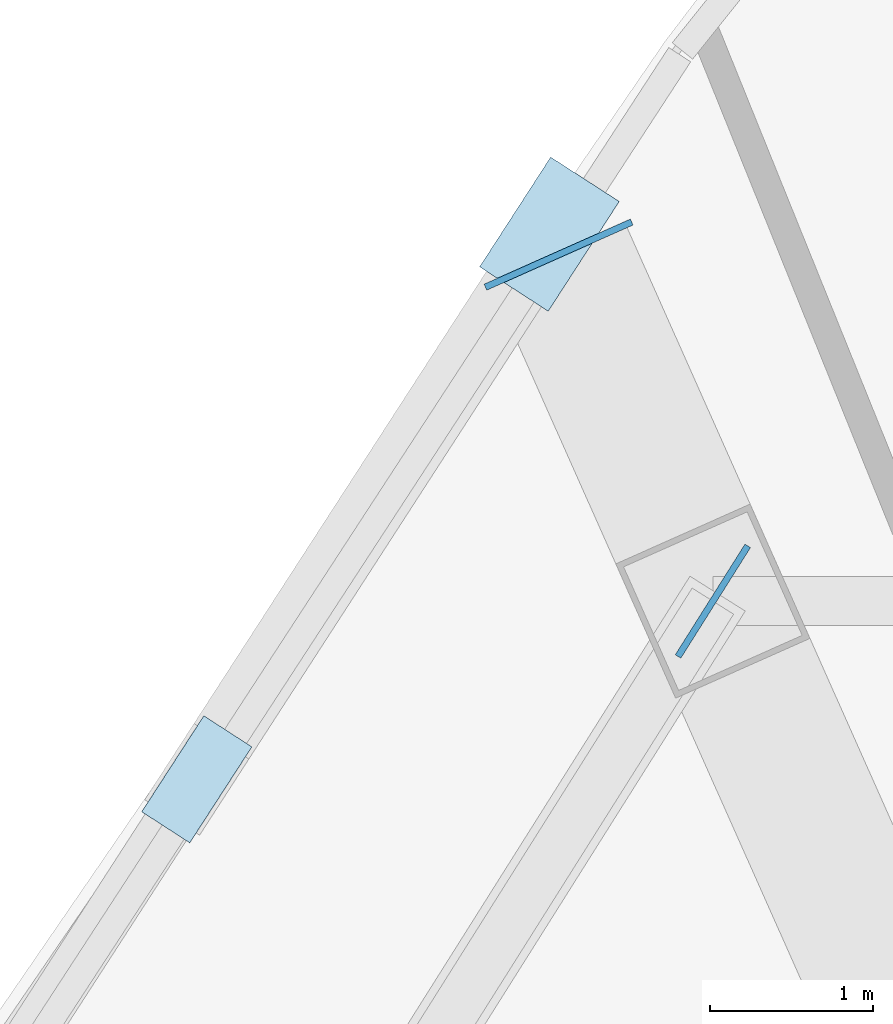
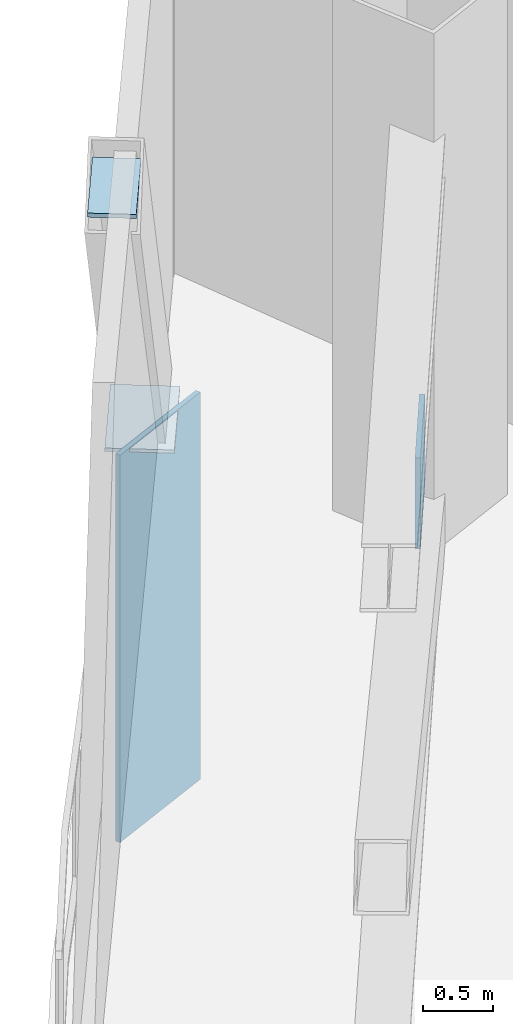
# One storey, part 6 of 17: 4 plates.
"""IFC4 building model written with IfcOpenShell, lengths in metres."""

from ifc_helpers import new_model, si_unit, direction, frame, origin, origin_2d, place, context, subcontext, project, spatial, rectangle, extrude, source, transform, mapped, material, layer, layer_set, type_object, element, save


model = new_model("IFC4")

# Units and contexts
model_context = context("Model", 3, precision=1e-05, world=origin(), true_north=direction((0.0, 1.0)))
body_context = subcontext(model_context, "Body", "Model", "MODEL_VIEW")
ifc_project = project(units=[si_unit("LENGTHUNIT", "METRE"), si_unit("AREAUNIT", "SQUARE_METRE"), si_unit("VOLUMEUNIT", "CUBIC_METRE"), si_unit("PLANEANGLEUNIT", "RADIAN"), si_unit("MASSUNIT", "GRAM", prefix="KILO"), si_unit("THERMODYNAMICTEMPERATUREUNIT", "KELVIN"), si_unit("POWERUNIT", "WATT")], contexts=[model_context])

# Site, building, storey
site_placement = place(None, origin())
site = spatial("IfcSite", under=ifc_project, at=site_placement, CompositionType="ELEMENT")
building_placement = place(site_placement, origin())
building = spatial("IfcBuilding", under=site, at=building_placement, Name="Yunzhuo Pagoda Commons", CompositionType="ELEMENT")
storey_placement = place(building_placement, frame((0.0, 0.0, 176.159912109375)))
storey = spatial("IfcBuildingStorey", under=building, at=storey_placement, Name="L44", CompositionType="ELEMENT", Elevation=176.159912109375)

# Plates
ifc_material_1 = material(Name="Structural steel Q420B", Category="steel")
ifc_layer_1 = layer(ifc_material_1, 0.0400390625)
ifc_layer_set_1 = layer_set([ifc_layer_1], Name="Structural steel Q420B")
plate_type_1 = type_object("IfcPlateType", Name="EP-TR2 Transfer Girder End Cap Plate 980x3540x40", PredefinedType="USERDEFINED", material=ifc_layer_set_1)
shared_shape_1 = source(origin(), body_context, "Body", "SweptSolid", [
    extrude(rectangle(XDim=0.97998046875, YDim=0.0400390625, at=origin_2d()), origin(), (0.0, 0.0, 1.0), 3.389892578125),
])
plate_1_placement = place(storey_placement, frame((32.3564453125, 68.836181640625, -3.64990234375), z_axis=(0.0, 0.0, 1.0), x_axis=(-0.913545457643, -0.406736643076, 0.0)))
element("IfcPlate", 1, at=plate_1_placement, inside=storey, type_object=plate_type_1, Name="L44 transfer girder end cap plate F3C1", ObjectType="END_PLATE", PredefinedType="USERDEFINED", context=body_context, shape_type="MappedRepresentation", body=[
    mapped(shared_shape_1, transform((0.0, 0.0, 0.0), scale=1.0)),
])
ifc_material_2 = material(Name="Structural steel Q355B", Category="steel")
ifc_layer_2 = layer(ifc_material_2, 0.028076171875)
ifc_layer_set_2 = layer_set([ifc_layer_2], Name="Structural steel Q355B")
plate_type_2 = type_object("IfcPlateType", Name="SP-ND1 Lattice Node Cap Plate 800x500x28", PredefinedType="USERDEFINED", material=ifc_layer_set_2)
shared_shape_2 = source(origin(), body_context, "Body", "SweptSolid", [
    extrude(rectangle(XDim=0.800048828125, YDim=0.0400390625, at=origin_2d()), origin(), (0.0, 0.0, 1.0), 0.800048828125),
])
plate_2_placement = place(storey_placement, frame((33.301025390625, 66.71435546875, -0.1298828125), z_axis=(0.0, 0.0, 1.0), x_axis=(-0.53309779066, -0.846053630448, 0.0)))
element("IfcPlate", 2, at=plate_2_placement, inside=storey, type_object=plate_type_2, Name="L44 belt truss lower gusset plate 9", ObjectType="STIFFENER_PLATE", PredefinedType="USERDEFINED", context=body_context, shape_type="MappedRepresentation", body=[
    mapped(shared_shape_2, transform((0.0, 0.0, 0.0), scale=1.0)),
])
shared_shape_3 = source(origin(), body_context, "Body", "SweptSolid", [
    extrude(rectangle(XDim=0.800048828125, YDim=0.5, at=origin_2d()), origin(), (0.0, 0.0, 1.0), 0.028076171875),
])
plate_3_placement = place(storey_placement, frame((32.300537109375, 68.961181640625, -0.2939453125), z_axis=(0.0, 0.0, 1.0), x_axis=(-0.543159795737, -0.839629344589, 0.0)))
element("IfcPlate", 3, at=plate_3_placement, inside=storey, type_object=plate_type_2, Name="L44 diamond node plate F3.1A", ObjectType="STIFFENER_PLATE", PredefinedType="USERDEFINED", context=body_context, shape_type="MappedRepresentation", body=[
    mapped(shared_shape_3, transform((0.0, 0.0, 0.0), scale=1.0)),
])
shared_shape_4 = source(origin(), body_context, "Body", "SweptSolid", [
    extrude(rectangle(XDim=0.699951171875, YDim=0.35009765625, at=origin_2d()), origin(), (0.0, 0.0, 1.0), 0.035888671875),
])
plate_4_placement = place(storey_placement, frame((30.1416015625, 65.623779296875, 4.501953125), z_axis=(0.0, 0.0, 1.0), x_axis=(-0.543159795737, -0.839629344589, 0.0)))
element("IfcPlate", 4, at=plate_4_placement, inside=storey, type_object=plate_type_2, Name="L44 setback lattice tie plate F3.1L", ObjectType="STIFFENER_PLATE", PredefinedType="USERDEFINED", context=body_context, shape_type="MappedRepresentation", body=[
    mapped(shared_shape_4, transform((0.0, 0.0, 0.0), scale=1.0)),
])

save(model, "model.ifc")
